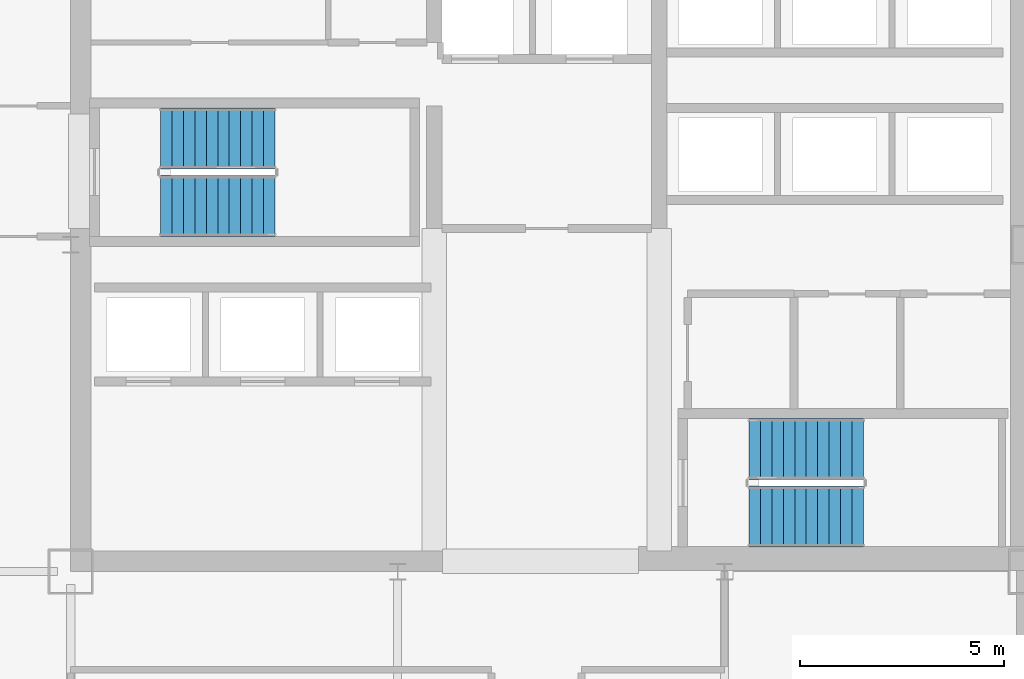
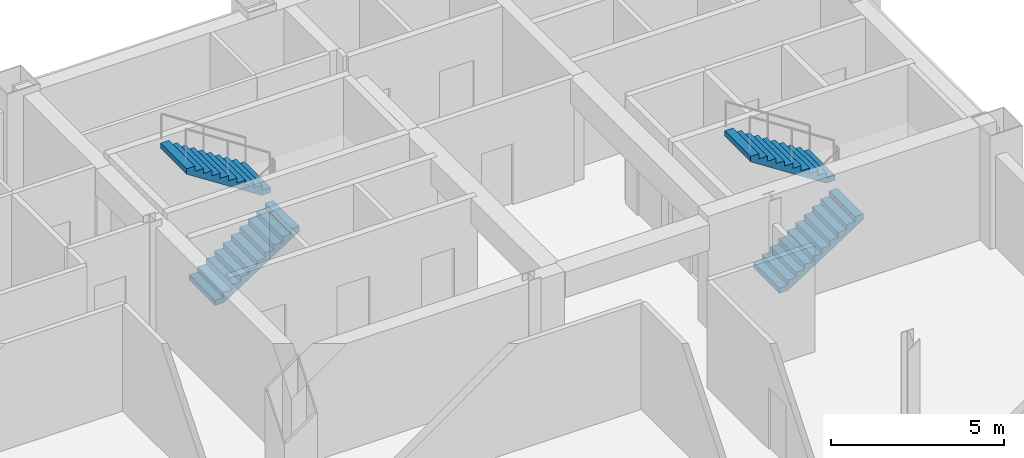
# One storey, part 8 of 10: 4 stair flights, 2 elements without a shape of their own.
"""IFC4 building model written with IfcOpenShell, lengths in metres."""

from ifc_helpers import new_model, si_unit, direction, frame, origin, place, context, subcontext, project, spatial, polyline, outline, extrude, material, type_object, element, aggregate, save


model = new_model("IFC4")

# Units and contexts
model_context = context("Model", 3, precision=1e-05, world=origin(), true_north=direction((0.0, 1.0)))
body_context = subcontext(model_context, "Body", "Model", "MODEL_VIEW")
ifc_project = project(units=[si_unit("LENGTHUNIT", "METRE"), si_unit("AREAUNIT", "SQUARE_METRE"), si_unit("VOLUMEUNIT", "CUBIC_METRE"), si_unit("PLANEANGLEUNIT", "RADIAN"), si_unit("MASSUNIT", "GRAM", prefix="KILO")], contexts=[model_context])

# Site, building, storey
site_placement = place(None, origin())
site = spatial("IfcSite", under=ifc_project, at=site_placement, CompositionType="ELEMENT")
building_placement = place(site_placement, origin())
building = spatial("IfcBuilding", under=site, at=building_placement, Name="Qianrong Seaharbour Tower", CompositionType="ELEMENT")
storey_placement = place(building_placement, frame((0.0, 0.0, 175.0)))
storey = spatial("IfcBuildingStorey", under=building, at=storey_placement, Name="L42", CompositionType="ELEMENT", Elevation=175.0)

# Stair, stair flights
ifc_material = material(Name="Concrete C50/60", Category="concrete")
stair_type = type_object("IfcStairType", Name="STAIR-DOGLEG-1500-R22", PredefinedType="HALF_TURN_STAIR", material=ifc_material)
stair_1_placement = place(storey_placement, origin())
stair_1 = element("IfcStair", 1, at=stair_1_placement, inside=storey, type_object=stair_type, Name="L42 Protected Escape Stair ST-1", PredefinedType="HALF_TURN_STAIR")
stair_flight_type = type_object("IfcStairFlightType", Name="FLIGHT-STR-1500-R22", PredefinedType="STRAIGHT", material=ifc_material)
stair_flight_1_placement = place(storey_placement, frame((42.699951171875, 44.949951171875, 0.0), z_axis=(0.0, 0.0, 1.0), x_axis=(1.0, 0.0, 0.0)))
stair_flight_1 = element("IfcStairFlight", 2, at=stair_flight_1_placement, type_object=stair_flight_type, Name="ST-1 flight 1", NumberOfRisers=11, NumberOfTreads=10, PredefinedType="STRAIGHT", RiserHeight=0.181818182, TreadLength=0.28, context=body_context, shape_type="SweptSolid", body=[
    extrude(outline(polyline([(0.0, 0.0), (0.0, 0.181884765625), (0.280029296875, 0.181884765625), (0.280029296875, 0.363525390625), (0.56005859375, 0.363525390625), (0.56005859375, 0.54541015625), (0.840087890625, 0.54541015625), (0.840087890625, 0.727294921875), (1.1201171875, 0.727294921875), (1.1201171875, 0.9091796875), (1.39990234375, 0.9091796875), (1.39990234375, 1.0908203125), (1.679931640625, 1.0908203125), (1.679931640625, 1.272705078125), (1.9599609375, 1.272705078125), (1.9599609375, 1.45458984375), (2.239990234375, 1.45458984375), (2.239990234375, 1.636474609375), (2.52001953125, 1.636474609375), (2.52001953125, 1.818115234375), (2.800048828125, 1.818115234375), (2.800048828125, 2.0), (2.800048828125, 1.62744140625), (0.293701171875, 0.0), (0.0, 0.0)])), frame((0.0, 0.75, 0.0), z_axis=(0.0, -1.0, 0.0), x_axis=(1.0, 0.0, 0.0)), (0.0, 0.0, 1.0), 1.5),
])
stair_flight_2_placement = place(storey_placement, frame((45.5, 46.60009765625, 2.0), z_axis=(0.0, 0.0, 1.0), x_axis=(-1.0, 0.0, 0.0)))
stair_flight_2 = element("IfcStairFlight", 3, at=stair_flight_2_placement, type_object=stair_flight_type, Name="ST-1 flight 2", NumberOfRisers=11, NumberOfTreads=10, PredefinedType="STRAIGHT", RiserHeight=0.181818182, TreadLength=0.28, context=body_context, shape_type="SweptSolid", body=[
    extrude(outline(polyline([(0.0, 0.0), (0.0, 0.181884765625), (0.280029296875, 0.181884765625), (0.280029296875, 0.363525390625), (0.56005859375, 0.363525390625), (0.56005859375, 0.54541015625), (0.840087890625, 0.54541015625), (0.840087890625, 0.727294921875), (1.1201171875, 0.727294921875), (1.1201171875, 0.9091796875), (1.39990234375, 0.9091796875), (1.39990234375, 1.0908203125), (1.679931640625, 1.0908203125), (1.679931640625, 1.272705078125), (1.9599609375, 1.272705078125), (1.9599609375, 1.45458984375), (2.239990234375, 1.45458984375), (2.239990234375, 1.636474609375), (2.52001953125, 1.636474609375), (2.52001953125, 1.818115234375), (2.800048828125, 1.818115234375), (2.800048828125, 2.0), (2.800048828125, 1.62744140625), (0.293701171875, 0.0), (0.0, 0.0)])), frame((0.0, 0.75, 0.0), z_axis=(0.0, -1.0, 0.0), x_axis=(1.0, 0.0, 0.0)), (0.0, 0.0, 1.0), 1.5),
])
aggregate(stair_1, [stair_flight_1, stair_flight_2])

stair_2_placement = place(storey_placement, origin())
stair_2 = element("IfcStair", 4, at=stair_2_placement, inside=storey, type_object=stair_type, Name="L42 Protected Escape Stair ST-2", PredefinedType="HALF_TURN_STAIR")
stair_flight_3_placement = place(storey_placement, frame((57.10009765625, 37.35009765625, 0.0), z_axis=(0.0, 0.0, 1.0), x_axis=(1.0, 0.0, 0.0)))
stair_flight_3 = element("IfcStairFlight", 5, at=stair_flight_3_placement, type_object=stair_flight_type, Name="ST-2 flight 1", NumberOfRisers=11, NumberOfTreads=10, PredefinedType="STRAIGHT", RiserHeight=0.181818182, TreadLength=0.28, context=body_context, shape_type="SweptSolid", body=[
    extrude(outline(polyline([(0.0, 0.0), (0.0, 0.181884765625), (0.280029296875, 0.181884765625), (0.280029296875, 0.363525390625), (0.56005859375, 0.363525390625), (0.56005859375, 0.54541015625), (0.840087890625, 0.54541015625), (0.840087890625, 0.727294921875), (1.1201171875, 0.727294921875), (1.1201171875, 0.9091796875), (1.39990234375, 0.9091796875), (1.39990234375, 1.0908203125), (1.679931640625, 1.0908203125), (1.679931640625, 1.272705078125), (1.9599609375, 1.272705078125), (1.9599609375, 1.45458984375), (2.239990234375, 1.45458984375), (2.239990234375, 1.636474609375), (2.52001953125, 1.636474609375), (2.52001953125, 1.818115234375), (2.800048828125, 1.818115234375), (2.800048828125, 2.0), (2.800048828125, 1.62744140625), (0.293701171875, 0.0), (0.0, 0.0)])), frame((0.0, 0.75, 0.0), z_axis=(0.0, -1.0, 0.0), x_axis=(1.0, 0.0, 0.0)), (0.0, 0.0, 1.0), 1.5),
])
stair_flight_4_placement = place(storey_placement, frame((59.89990234375, 39.0, 2.0), z_axis=(0.0, 0.0, 1.0), x_axis=(-1.0, 0.0, 0.0)))
stair_flight_4 = element("IfcStairFlight", 6, at=stair_flight_4_placement, type_object=stair_flight_type, Name="ST-2 flight 2", NumberOfRisers=11, NumberOfTreads=10, PredefinedType="STRAIGHT", RiserHeight=0.181818182, TreadLength=0.28, context=body_context, shape_type="SweptSolid", body=[
    extrude(outline(polyline([(0.0, 0.0), (0.0, 0.181884765625), (0.280029296875, 0.181884765625), (0.280029296875, 0.363525390625), (0.56005859375, 0.363525390625), (0.56005859375, 0.54541015625), (0.840087890625, 0.54541015625), (0.840087890625, 0.727294921875), (1.1201171875, 0.727294921875), (1.1201171875, 0.9091796875), (1.39990234375, 0.9091796875), (1.39990234375, 1.0908203125), (1.679931640625, 1.0908203125), (1.679931640625, 1.272705078125), (1.9599609375, 1.272705078125), (1.9599609375, 1.45458984375), (2.239990234375, 1.45458984375), (2.239990234375, 1.636474609375), (2.52001953125, 1.636474609375), (2.52001953125, 1.818115234375), (2.800048828125, 1.818115234375), (2.800048828125, 2.0), (2.800048828125, 1.62744140625), (0.293701171875, 0.0), (0.0, 0.0)])), frame((0.0, 0.75, 0.0), z_axis=(0.0, -1.0, 0.0), x_axis=(1.0, 0.0, 0.0)), (0.0, 0.0, 1.0), 1.5),
])
aggregate(stair_2, [stair_flight_3, stair_flight_4])

save(model, "model.ifc")
